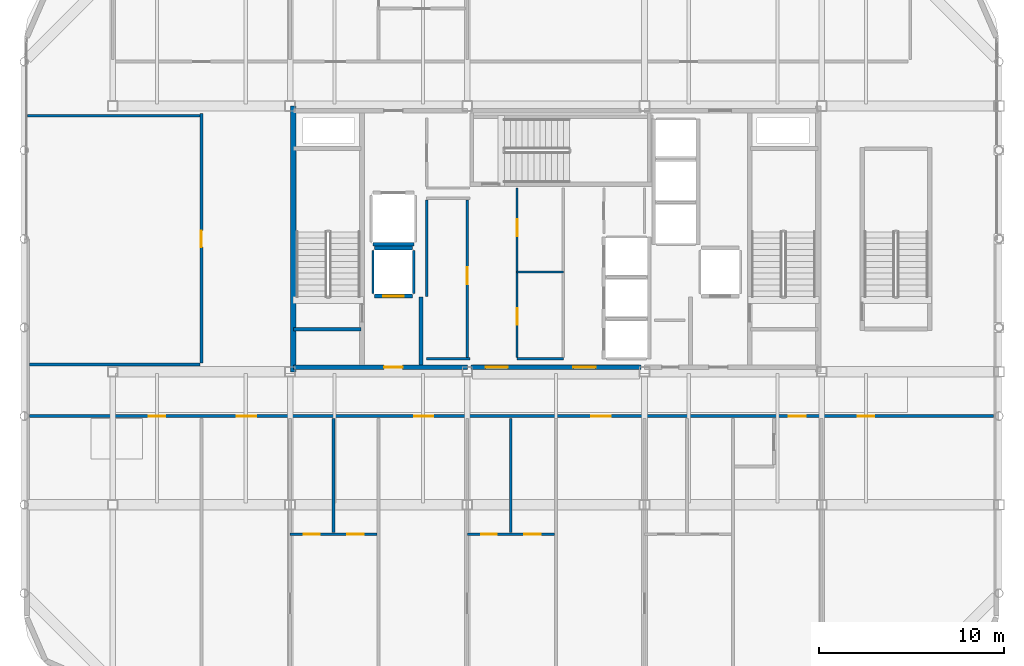
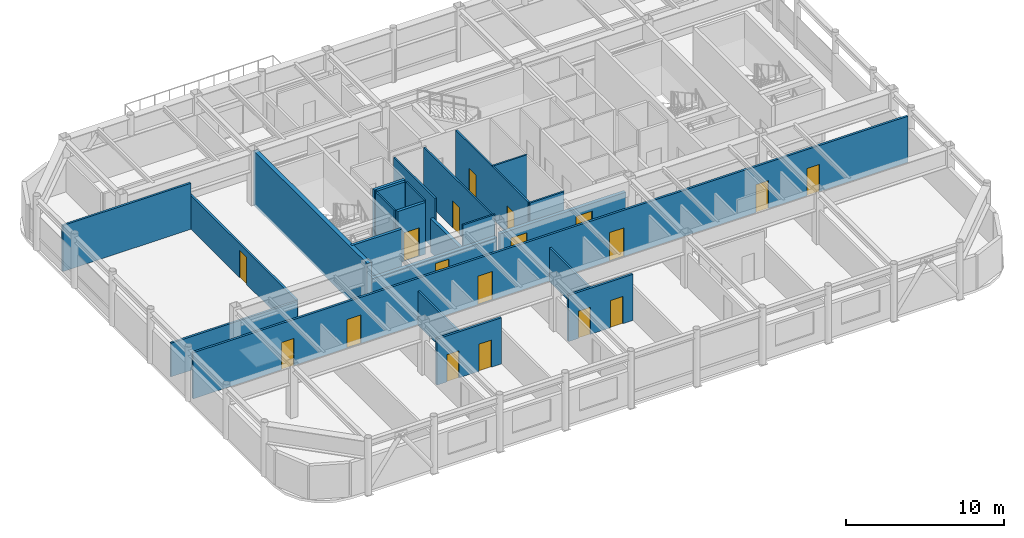
# One storey, part 17 of 23: 24 walls, 18 doors, 18 openings.
"""IFC4 building model written with IfcOpenShell, lengths in metres."""

from ifc_helpers import new_model, si_unit, direction, frame, frame_2d, origin, place, context, subcontext, project, spatial, rectangle, extrude, material, layer, layer_set, type_object, element, fill, save


model = new_model("IFC4")

# Units and contexts
model_context = context("Model", 3, precision=1e-05, world=origin(), true_north=direction((0.0, 1.0)))
body_context = subcontext(model_context, "Body", "Model", "MODEL_VIEW")
ifc_project = project(units=[si_unit("LENGTHUNIT", "METRE"), si_unit("AREAUNIT", "SQUARE_METRE"), si_unit("VOLUMEUNIT", "CUBIC_METRE"), si_unit("PLANEANGLEUNIT", "RADIAN"), si_unit("MASSUNIT", "GRAM", prefix="KILO")], contexts=[model_context])

# Site, building, storey
site_placement = place(None, origin())
site = spatial("IfcSite", under=ifc_project, at=site_placement, CompositionType="ELEMENT")
building_placement = place(site_placement, origin())
building = spatial("IfcBuilding", under=site, at=building_placement, Name="Kallvorn Hotel Tower", CompositionType="ELEMENT")
storey_placement = place(building_placement, frame((0.0, 0.0, 282.199951171875)))
storey = spatial("IfcBuildingStorey", under=building, at=storey_placement, Name="L70", CompositionType="ELEMENT", Elevation=282.199951171875)

# Wall
ifc_material_1 = material(Name="Concrete C50/60", Category="concrete")
ifc_layer_1 = layer(ifc_material_1, 0.300048828125)
ifc_layer_set_1 = layer_set([ifc_layer_1], Name="WL_CORE_300")
wall_type_1 = type_object("IfcWallType", Name="WL_CORE_300", PredefinedType="SHEAR", material=ifc_layer_set_1)
wall_1_placement = place(storey_placement, frame((-14.215087890625, -7.199951171875, -0.199951171875), z_axis=(0.0, 0.0, 1.0), x_axis=(0.0, 1.0, 0.0)))
element("IfcWall", 1, at=wall_1_placement, inside=storey, type_object=wall_type_1, Name="L70 Core West Shear Wall", PredefinedType="SHEAR", context=body_context, shape_type="SweptSolid", body=[
    extrude(rectangle(XDim=14.39990234375, YDim=0.300048828125, at=frame_2d((7.199951171875, 0.0))), origin(), (0.0, 0.0, 1.0), 4.199951171875),
])

# Wall, openings, doors
ifc_material_2 = material(Name="Fire-rated double-layer acoustic gypsum drywall EI 60")
ifc_layer_2 = layer(ifc_material_2, 0.159912109375)
ifc_layer_set_2 = layer_set([ifc_layer_2], Name="WL_DEMISE_160")
wall_type_2 = type_object("IfcWallType", Name="WL_DEMISE_160", PredefinedType="PARTITIONING", material=ifc_layer_set_2)
wall_2_placement = place(storey_placement, frame((-14.39990234375, -16.0, 0.0), z_axis=(0.0, 0.0, 1.0), x_axis=(1.0, 0.0, 0.0)))
wall_2 = element("IfcWall", 2, at=wall_2_placement, inside=storey, type_object=wall_type_2, Name="L70 Suite 7001 Presidential Bedroom Partition", PredefinedType="PARTITIONING", context=body_context, shape_type="SweptSolid", body=[
    extrude(rectangle(XDim=4.719970703125, YDim=0.159912109375, at=frame_2d((2.35986328125, 0.0))), origin(), (0.0, 0.0, 1.0), 3.56005859375),
])
opening_1_placement = place(wall_2_placement, frame((0.75, 0.0, 0.0)))
opening_1 = element("IfcOpeningElement", 3, at=opening_1_placement, cuts=wall_2, Name="Opening BD-I", PredefinedType="OPENING", context=body_context, shape_type="SweptSolid", body=[
    extrude(rectangle(XDim=0.860107421875, YDim=2.10009765625, at=frame_2d((0.43017578125, 1.050048828125))), frame((0.0, 0.094970703125, 0.0), z_axis=(0.0, -1.0, 0.0), x_axis=(1.0, 0.0, 0.0)), (0.0, 0.0, 1.0), 0.18994140625),
])
opening_2_placement = place(wall_2_placement, frame((3.090087890625, 0.0, 0.0)))
opening_2 = element("IfcOpeningElement", 4, at=opening_2_placement, cuts=wall_2, Name="Opening SVD1", PredefinedType="OPENING", context=body_context, shape_type="SweptSolid", body=[
    extrude(rectangle(XDim=0.89990234375, YDim=2.10009765625, at=frame_2d((0.449951171875, 1.050048828125))), frame((0.0, 0.094970703125, 0.0), z_axis=(0.0, -1.0, 0.0), x_axis=(1.0, 0.0, 0.0)), (0.0, 0.0, 1.0), 0.18994140625),
])
ifc_material_3 = material(Name="Solid-core walnut veneer fire-rated timber door leaf", Category="wood")
door_type_1 = type_object("IfcDoorType", Name="DR_BATH_860x2100", OperationType="NOTDEFINED", PredefinedType="DOOR", material=ifc_material_3)
door_1_placement = place(opening_1_placement, origin())
door_1 = element("IfcDoor", 5, at=door_1_placement, inside=storey, type_object=door_type_1, Name="L70 Suite 7001 En-Suite Bathroom Door", OperationType="SINGLE_SWING_RIGHT", OverallHeight=2.10009765625, OverallWidth=0.860107421875, PredefinedType="DOOR", context=body_context, shape_type="SweptSolid", body=[
    extrude(rectangle(XDim=0.860107421875, YDim=2.10009765625, at=frame_2d((0.43017578125, 1.050048828125))), frame((0.0, 0.02490234375, 0.0), z_axis=(0.0, -1.0, 0.0), x_axis=(1.0, 0.0, 0.0)), (0.0, 0.0, 1.0), 0.050048828125),
])
fill(opening_1, door_1)
ifc_material_4 = material(Name="Galvanised painted steel fire-rated door assembly", Category="steel")
door_type_2 = type_object("IfcDoorType", Name="DR_SERV_900x2100", OperationType="NOTDEFINED", PredefinedType="DOOR", material=ifc_material_4)
door_2_placement = place(opening_2_placement, origin())
door_2 = element("IfcDoor", 6, at=door_2_placement, inside=storey, type_object=door_type_2, Name="L70 Suite 7001 Walk-In Dressing Closet Door", OperationType="SINGLE_SWING_LEFT", OverallHeight=2.10009765625, OverallWidth=0.89990234375, PredefinedType="DOOR", context=body_context, shape_type="SweptSolid", body=[
    extrude(rectangle(XDim=0.89990234375, YDim=2.10009765625, at=frame_2d((0.449951171875, 1.050048828125))), frame((0.0, 0.02490234375, 0.0), z_axis=(0.0, -1.0, 0.0), x_axis=(1.0, 0.0, 0.0)), (0.0, 0.0, 1.0), 0.050048828125),
])
fill(opening_2, door_2)

wall_3_placement = place(storey_placement, frame((-4.800048828125, -16.0, 0.0), z_axis=(0.0, 0.0, 1.0), x_axis=(1.0, 0.0, 0.0)))
wall_3 = element("IfcWall", 7, at=wall_3_placement, inside=storey, type_object=wall_type_2, Name="L70 Suite 7002 Presidential Bedroom Partition", PredefinedType="PARTITIONING", context=body_context, shape_type="SweptSolid", body=[
    extrude(rectangle(XDim=4.719970703125, YDim=0.159912109375, at=frame_2d((2.35986328125, 0.0))), origin(), (0.0, 0.0, 1.0), 3.56005859375),
])
opening_3_placement = place(wall_3_placement, frame((0.75, 0.0, 0.0)))
opening_3 = element("IfcOpeningElement", 8, at=opening_3_placement, cuts=wall_3, Name="Opening BD-I", PredefinedType="OPENING", context=body_context, shape_type="SweptSolid", body=[
    extrude(rectangle(XDim=0.860107421875, YDim=2.10009765625, at=frame_2d((0.43017578125, 1.050048828125))), frame((0.0, 0.094970703125, 0.0), z_axis=(0.0, -1.0, 0.0), x_axis=(1.0, 0.0, 0.0)), (0.0, 0.0, 1.0), 0.18994140625),
])
opening_4_placement = place(wall_3_placement, frame((3.090087890625, 0.0, 0.0)))
opening_4 = element("IfcOpeningElement", 9, at=opening_4_placement, cuts=wall_3, Name="Opening SVD1", PredefinedType="OPENING", context=body_context, shape_type="SweptSolid", body=[
    extrude(rectangle(XDim=0.89990234375, YDim=2.10009765625, at=frame_2d((0.449951171875, 1.050048828125))), frame((0.0, 0.094970703125, 0.0), z_axis=(0.0, -1.0, 0.0), x_axis=(1.0, 0.0, 0.0)), (0.0, 0.0, 1.0), 0.18994140625),
])
door_3_placement = place(opening_3_placement, origin())
door_3 = element("IfcDoor", 10, at=door_3_placement, inside=storey, type_object=door_type_1, Name="L70 Suite 7002 En-Suite Bathroom Door", OperationType="SINGLE_SWING_RIGHT", OverallHeight=2.10009765625, OverallWidth=0.860107421875, PredefinedType="DOOR", context=body_context, shape_type="SweptSolid", body=[
    extrude(rectangle(XDim=0.860107421875, YDim=2.10009765625, at=frame_2d((0.43017578125, 1.050048828125))), frame((0.0, 0.02490234375, 0.0), z_axis=(0.0, -1.0, 0.0), x_axis=(1.0, 0.0, 0.0)), (0.0, 0.0, 1.0), 0.050048828125),
])
fill(opening_3, door_3)
door_4_placement = place(opening_4_placement, origin())
door_4 = element("IfcDoor", 11, at=door_4_placement, inside=storey, type_object=door_type_2, Name="L70 Suite 7002 Walk-In Dressing Closet Door", OperationType="SINGLE_SWING_RIGHT", OverallHeight=2.10009765625, OverallWidth=0.89990234375, PredefinedType="DOOR", context=body_context, shape_type="SweptSolid", body=[
    extrude(rectangle(XDim=0.89990234375, YDim=2.10009765625, at=frame_2d((0.449951171875, 1.050048828125))), frame((0.0, 0.02490234375, 0.0), z_axis=(0.0, -1.0, 0.0), x_axis=(1.0, 0.0, 0.0)), (0.0, 0.0, 1.0), 0.050048828125),
])
fill(opening_4, door_4)

wall_4_placement = place(storey_placement, frame((-28.510009765625, -9.60009765625, 0.0), z_axis=(0.0, 0.0, 1.0), x_axis=(1.0, 0.0, 0.0)))
wall_4 = element("IfcWall", 12, at=wall_4_placement, inside=storey, type_object=wall_type_2, Name="L70 Suite 7001 Presidential Living Salon Partition", PredefinedType="PARTITIONING", context=body_context, shape_type="SweptSolid", body=[
    extrude(rectangle(XDim=52.219970703125, YDim=0.159912109375, at=frame_2d((26.10986328125, 0.0))), origin(), (0.0, 0.0, 1.0), 3.56005859375),
])
opening_5_placement = place(wall_4_placement, frame((6.4599609375, 0.0, 0.0)))
opening_5 = element("IfcOpeningElement", 13, at=opening_5_placement, cuts=wall_4, Name="Opening SVD1", PredefinedType="OPENING", context=body_context, shape_type="SweptSolid", body=[
    extrude(rectangle(XDim=0.89990234375, YDim=2.10009765625, at=frame_2d((0.449951171875, 1.050048828125))), frame((0.0, 0.094970703125, 0.0), z_axis=(0.0, -1.0, 0.0), x_axis=(1.0, 0.0, 0.0)), (0.0, 0.0, 1.0), 0.18994140625),
])
opening_6_placement = place(wall_4_placement, frame((44.860107421875, 0.0, 0.0)))
opening_6 = element("IfcOpeningElement", 14, at=opening_6_placement, cuts=wall_4, Name="Opening SVD1", PredefinedType="OPENING", context=body_context, shape_type="SweptSolid", body=[
    extrude(rectangle(XDim=0.89990234375, YDim=2.10009765625, at=frame_2d((0.449951171875, 1.050048828125))), frame((0.0, 0.094970703125, 0.0), z_axis=(0.0, -1.0, 0.0), x_axis=(1.0, 0.0, 0.0)), (0.0, 0.0, 1.0), 0.18994140625),
])
opening_7_placement = place(wall_4_placement, frame((11.22509765625, 0.0, 0.0)))
opening_7 = element("IfcOpeningElement", 15, at=opening_7_placement, cuts=wall_4, Name="Opening GD2", PredefinedType="OPENING", context=body_context, shape_type="SweptSolid", body=[
    extrude(rectangle(XDim=1.050048828125, YDim=2.199951171875, at=frame_2d((0.52490234375, 1.10009765625))), frame((0.0, 0.094970703125, 0.0), z_axis=(0.0, -1.0, 0.0), x_axis=(1.0, 0.0, 0.0)), (0.0, 0.0, 1.0), 0.18994140625),
])
opening_8_placement = place(wall_4_placement, frame((20.824951171875, 0.0, 0.0)))
opening_8 = element("IfcOpeningElement", 16, at=opening_8_placement, cuts=wall_4, Name="Opening GD2", PredefinedType="OPENING", context=body_context, shape_type="SweptSolid", body=[
    extrude(rectangle(XDim=1.050048828125, YDim=2.199951171875, at=frame_2d((0.52490234375, 1.10009765625))), frame((0.0, 0.094970703125, 0.0), z_axis=(0.0, -1.0, 0.0), x_axis=(1.0, 0.0, 0.0)), (0.0, 0.0, 1.0), 0.18994140625),
])
opening_9_placement = place(wall_4_placement, frame((30.425048828125, 0.0, 0.0)))
opening_9 = element("IfcOpeningElement", 17, at=opening_9_placement, cuts=wall_4, Name="Opening GD2", PredefinedType="OPENING", context=body_context, shape_type="SweptSolid", body=[
    extrude(rectangle(XDim=1.050048828125, YDim=2.199951171875, at=frame_2d((0.52490234375, 1.10009765625))), frame((0.0, 0.094970703125, 0.0), z_axis=(0.0, -1.0, 0.0), x_axis=(1.0, 0.0, 0.0)), (0.0, 0.0, 1.0), 0.18994140625),
])
opening_10_placement = place(wall_4_placement, frame((41.114990234375, 0.0, 0.0)))
opening_10 = element("IfcOpeningElement", 18, at=opening_10_placement, cuts=wall_4, Name="Opening GD1", PredefinedType="OPENING", context=body_context, shape_type="SweptSolid", body=[
    extrude(rectangle(XDim=0.919921875, YDim=2.14990234375, at=frame_2d((0.4599609375, 1.074951171875))), frame((0.0, 0.094970703125, 0.0), z_axis=(0.0, -1.0, 0.0), x_axis=(1.0, 0.0, 0.0)), (0.0, 0.0, 1.0), 0.18994140625),
])
ifc_material_5 = material(Name="Solid-core walnut veneer fire-rated timber door leaf", Category="wood")
door_type_3 = type_object("IfcDoorType", Name="DR_GUEST_920x2150", OperationType="NOTDEFINED", PredefinedType="DOOR", material=ifc_material_5)
door_5_placement = place(opening_10_placement, origin())
door_5 = element("IfcDoor", 19, at=door_5_placement, inside=storey, type_object=door_type_3, Name="L70 Suite 7004 Royal King Room Door", OperationType="SINGLE_SWING_LEFT", OverallHeight=2.14990234375, OverallWidth=0.919921875, PredefinedType="DOOR", context=body_context, shape_type="SweptSolid", body=[
    extrude(rectangle(XDim=0.919921875, YDim=2.14990234375, at=frame_2d((0.4599609375, 1.074951171875))), frame((0.0, 0.02490234375, 0.0), z_axis=(0.0, -1.0, 0.0), x_axis=(1.0, 0.0, 0.0)), (0.0, 0.0, 1.0), 0.050048828125),
])
fill(opening_10, door_5)
door_6_placement = place(opening_5_placement, origin())
door_6 = element("IfcDoor", 20, at=door_6_placement, inside=storey, type_object=door_type_2, Name="L70 L70 South-West Cordillera Tasting Bar Door", OperationType="SINGLE_SWING_LEFT", OverallHeight=2.10009765625, OverallWidth=0.89990234375, PredefinedType="DOOR", context=body_context, shape_type="SweptSolid", body=[
    extrude(rectangle(XDim=0.89990234375, YDim=2.10009765625, at=frame_2d((0.449951171875, 1.050048828125))), frame((0.0, 0.02490234375, 0.0), z_axis=(0.0, -1.0, 0.0), x_axis=(1.0, 0.0, 0.0)), (0.0, 0.0, 1.0), 0.050048828125),
])
fill(opening_5, door_6)
door_7_placement = place(opening_6_placement, origin())
door_7 = element("IfcDoor", 21, at=door_7_placement, inside=storey, type_object=door_type_2, Name="L70 L70 South-East Summit Cigar Bar Door", OperationType="SINGLE_SWING_LEFT", OverallHeight=2.10009765625, OverallWidth=0.89990234375, PredefinedType="DOOR", context=body_context, shape_type="SweptSolid", body=[
    extrude(rectangle(XDim=0.89990234375, YDim=2.10009765625, at=frame_2d((0.449951171875, 1.050048828125))), frame((0.0, 0.02490234375, 0.0), z_axis=(0.0, -1.0, 0.0), x_axis=(1.0, 0.0, 0.0)), (0.0, 0.0, 1.0), 0.050048828125),
])
fill(opening_6, door_7)
ifc_material_6 = material(Name="Solid-core walnut veneer fire-rated timber door leaf", Category="wood")
door_type_4 = type_object("IfcDoorType", Name="DR_SUITE_1050x2200", OperationType="NOTDEFINED", PredefinedType="DOOR", material=ifc_material_6)
door_8_placement = place(opening_7_placement, origin())
door_8 = element("IfcDoor", 22, at=door_8_placement, inside=storey, type_object=door_type_4, Name="L70 Suite 7001 Presidential Living Salon Door", OperationType="SINGLE_SWING_LEFT", OverallHeight=2.199951171875, OverallWidth=1.050048828125, PredefinedType="DOOR", context=body_context, shape_type="SweptSolid", body=[
    extrude(rectangle(XDim=1.050048828125, YDim=2.199951171875, at=frame_2d((0.52490234375, 1.10009765625))), frame((0.0, 0.02490234375, 0.0), z_axis=(0.0, -1.0, 0.0), x_axis=(1.0, 0.0, 0.0)), (0.0, 0.0, 1.0), 0.050048828125),
])
fill(opening_7, door_8)
door_9_placement = place(opening_8_placement, origin())
door_9 = element("IfcDoor", 23, at=door_9_placement, inside=storey, type_object=door_type_4, Name="L70 Suite 7002 Presidential Living Salon Door", OperationType="SINGLE_SWING_RIGHT", OverallHeight=2.199951171875, OverallWidth=1.050048828125, PredefinedType="DOOR", context=body_context, shape_type="SweptSolid", body=[
    extrude(rectangle(XDim=1.050048828125, YDim=2.199951171875, at=frame_2d((0.52490234375, 1.10009765625))), frame((0.0, 0.02490234375, 0.0), z_axis=(0.0, -1.0, 0.0), x_axis=(1.0, 0.0, 0.0)), (0.0, 0.0, 1.0), 0.050048828125),
])
fill(opening_8, door_9)
door_10_placement = place(opening_9_placement, origin())
door_10 = element("IfcDoor", 24, at=door_10_placement, inside=storey, type_object=door_type_4, Name="L70 Suite 7003 Presidential Living Salon Door", OperationType="SINGLE_SWING_RIGHT", OverallHeight=2.199951171875, OverallWidth=1.050048828125, PredefinedType="DOOR", context=body_context, shape_type="SweptSolid", body=[
    extrude(rectangle(XDim=1.050048828125, YDim=2.199951171875, at=frame_2d((0.52490234375, 1.10009765625))), frame((0.0, 0.02490234375, 0.0), z_axis=(0.0, -1.0, 0.0), x_axis=(1.0, 0.0, 0.0)), (0.0, 0.0, 1.0), 0.050048828125),
])
fill(opening_9, door_10)

# Walls
ifc_material_7 = material(Name="Concrete C40/50", Category="concrete")
ifc_layer_3 = layer(ifc_material_7, 0.219970703125)
ifc_layer_set_3 = layer_set([ifc_layer_3], Name="WL_FFL_220")
wall_type_3 = type_object("IfcWallType", Name="WL_FFL_220", PredefinedType="SOLIDWALL", material=ifc_layer_set_3)
wall_5_placement = place(storey_placement, frame((-7.300048828125, -6.820068359375, 0.0), z_axis=(0.0, 0.0, 1.0), x_axis=(0.0, 1.0, 0.0)))
element("IfcWall", 25, at=wall_5_placement, inside=storey, type_object=wall_type_3, Name="L70 Firefighting Lobby West Divider Wall", PredefinedType="SOLIDWALL", context=body_context, shape_type="SweptSolid", body=[
    extrude(rectangle(XDim=3.670166015625, YDim=0.219970703125, at=frame_2d((1.8349609375, 0.0))), origin(), (0.0, 0.0, 1.0), 2.60009765625),
])
ifc_material_8 = material(Name="Concrete C40/50", Category="concrete")
ifc_layer_4 = layer(ifc_material_8, 0.199951171875)
ifc_layer_set_4 = layer_set([ifc_layer_4], Name="WL_HOIST_200")
wall_type_4 = type_object("IfcWallType", Name="WL_HOIST_200", PredefinedType="SOLIDWALL", material=ifc_layer_set_4)
wall_6_placement = place(storey_placement, frame((-14.199951171875, -4.89990234375, -0.199951171875), z_axis=(0.0, 0.0, 1.0), x_axis=(1.0, 0.0, 0.0)))
element("IfcWall", 26, at=wall_6_placement, inside=storey, type_object=wall_type_4, Name="L70 Stair ST1 South Wall", PredefinedType="SOLIDWALL", context=body_context, shape_type="SweptSolid", body=[
    extrude(rectangle(XDim=3.64990234375, YDim=0.199951171875, at=frame_2d((1.824951171875, 0.0))), origin(), (0.0, 0.0, 1.0), 4.199951171875),
])

# Wall, opening, door
wall_7_placement = place(storey_placement, frame((-9.820068359375, -3.10009765625, 0.0), z_axis=(0.0, 0.0, 1.0), x_axis=(1.0, 0.0, 0.0)))
wall_7 = element("IfcWall", 27, at=wall_7_placement, inside=storey, type_object=wall_type_4, Name="L70 FL-1 Landing Wall", PredefinedType="SOLIDWALL", context=body_context, shape_type="SweptSolid", body=[
    extrude(rectangle(XDim=2.0400390625, YDim=0.199951171875, at=frame_2d((1.02001953125, 0.0))), origin(), (0.0, 0.0, 1.0), 4.0),
])
opening_11_placement = place(wall_7_placement, frame((0.469970703125, 0.0, 0.0)))
opening_11 = element("IfcOpeningElement", 28, at=opening_11_placement, cuts=wall_7, Name="Opening LD-FL-1", PredefinedType="OPENING", context=body_context, shape_type="SweptSolid", body=[
    extrude(rectangle(XDim=1.10009765625, YDim=2.199951171875, at=frame_2d((0.550048828125, 1.10009765625))), frame((0.0, 0.114990234375, 0.0), z_axis=(0.0, -1.0, 0.0), x_axis=(1.0, 0.0, 0.0)), (0.0, 0.0, 1.0), 0.22998046875),
])
ifc_material_9 = material(Name="Brushed stainless-steel automatic sliding lift landing door", Category="steel")
door_type_5 = type_object("IfcDoorType", Name="LD_PASS_1100x2200", OperationType="SLIDING_TO_LEFT", PredefinedType="DOOR", material=ifc_material_9)
door_11_placement = place(opening_11_placement, origin())
door_11 = element("IfcDoor", 29, at=door_11_placement, inside=storey, type_object=door_type_5, Name="L70 Lift Landing Sliding Door LD-FL-1", OperationType="SLIDING_TO_LEFT", OverallHeight=2.199951171875, OverallWidth=1.10009765625, PredefinedType="DOOR", context=body_context, shape_type="SweptSolid", body=[
    extrude(rectangle(XDim=1.10009765625, YDim=2.199951171875, at=frame_2d((0.550048828125, 1.10009765625))), frame((0.0, 0.02490234375, 0.0), z_axis=(0.0, -1.0, 0.0), x_axis=(1.0, 0.0, 0.0)), (0.0, 0.0, 1.0), 0.050048828125),
])
fill(opening_11, door_11)

# Walls
wall_8_placement = place(storey_placement, frame((-9.820068359375, -0.5, 0.0), z_axis=(0.0, 0.0, 1.0), x_axis=(1.0, 0.0, 0.0)))
element("IfcWall", 30, at=wall_8_placement, inside=storey, type_object=wall_type_4, Name="L70 FL-1 Rear Shaft Wall", PredefinedType="SOLIDWALL", context=body_context, shape_type="SweptSolid", body=[
    extrude(rectangle(XDim=2.0400390625, YDim=0.199951171875, at=frame_2d((1.02001953125, 0.0))), origin(), (0.0, 0.0, 1.0), 4.0),
])
wall_9_placement = place(storey_placement, frame((-9.919921875, -0.300048828125, 0.0), z_axis=(0.0, 0.0, 1.0), x_axis=(1.0, 0.0, 0.0)))
element("IfcWall", 31, at=wall_9_placement, inside=storey, type_object=wall_type_4, Name="L70 SV-01 Rear Shaft Wall", PredefinedType="SOLIDWALL", context=body_context, shape_type="SweptSolid", body=[
    extrude(rectangle(XDim=2.239990234375, YDim=0.199951171875, at=frame_2d((1.1201171875, 0.0))), origin(), (0.0, 0.0, 1.0), 4.0),
])
ifc_material_10 = material(Name="Fire-rated double-layer acoustic gypsum drywall EI 60")
ifc_layer_5 = layer(ifc_material_10, 0.1201171875)
ifc_layer_set_5 = layer_set([ifc_layer_5], Name="WL_INT_120")
wall_type_5 = type_object("IfcWallType", Name="WL_INT_120", PredefinedType="PARTITIONING", material=ifc_layer_set_5)
for number, where, z_axis, x_axis, name in (
    (32, (-9.89990234375, -2.9599609375, 0.0), (0.0, 0.0, 1.0), (0.0, 1.0, 0.0), "L70 FL-1 West Shaft Wall"),
    (33, (-7.699951171875, -2.9599609375, 0.0), (0.0, 0.0, 1.0), (0.0, 1.0, 0.0), "L70 FL-1 East Shaft Wall"),
):
    element("IfcWall", number, at=place(storey_placement, frame(where, z_axis=z_axis, x_axis=x_axis)), inside=storey, type_object=wall_type_5, Name=name, PredefinedType="PARTITIONING", context=body_context, shape_type="SweptSolid", body=[
        extrude(rectangle(XDim=2.320068359375, YDim=0.1201171875, at=frame_2d((1.16015625, 0.0))), origin(), (0.0, 0.0, 1.0), 4.0),
    ])
wall_10_placement = place(storey_placement, frame((-7.0, -6.5, 0.0), z_axis=(0.0, 0.0, 1.0), x_axis=(1.0, 0.0, 0.0)))
element("IfcWall", 34, at=wall_10_placement, inside=storey, type_object=wall_type_5, Name="L70 Recaptured Butler and Room-Service Pantry Partition", PredefinedType="PARTITIONING", context=body_context, shape_type="SweptSolid", body=[
    extrude(rectangle(XDim=2.35009765625, YDim=0.1201171875, at=frame_2d((1.175048828125, 0.0))), origin(), (0.0, 0.0, 1.0), 4.0),
])
for number, where, z_axis, x_axis, name in (
    (35, (-2.10009765625, -6.5, 0.0), (0.0, 0.0, 1.0), (1.0, 0.0, 0.0), "L70 High-Zone Sommelier and Beverage Pantry Partition"),
    (36, (-2.10009765625, -1.800048828125, 0.0), (0.0, 0.0, 1.0), (1.0, 0.0, 0.0), "L70 High-Zone Housekeeping Reserve Store Partition"),
):
    element("IfcWall", number, at=place(storey_placement, frame(where, z_axis=z_axis, x_axis=x_axis)), inside=storey, type_object=wall_type_5, Name=name, PredefinedType="PARTITIONING", context=body_context, shape_type="SweptSolid", body=[
        extrude(rectangle(XDim=2.5, YDim=0.1201171875, at=frame_2d((1.25, 0.0))), origin(), (0.0, 0.0, 1.0), 4.0),
    ])
wall_11_placement = place(storey_placement, frame((-7.0, -3.110107421875, 0.0), z_axis=(0.0, 0.0, 1.0), x_axis=(0.0, 1.0, 0.0)))
element("IfcWall", 37, at=wall_11_placement, inside=storey, type_object=wall_type_5, Name="L70 Recaptured Butler and Room-Service Pantry Partition", PredefinedType="PARTITIONING", context=body_context, shape_type="SweptSolid", body=[
    extrude(rectangle(XDim=5.22509765625, YDim=0.1201171875, at=frame_2d((2.612548828125, 0.0))), origin(), (0.0, 0.0, 1.0), 4.0),
])

# Wall, opening, door
wall_12_placement = place(storey_placement, frame((-4.800048828125, -6.4150390625, 0.0), z_axis=(0.0, 0.0, 1.0), x_axis=(0.0, 1.0, 0.0)))
wall_12 = element("IfcWall", 38, at=wall_12_placement, inside=storey, type_object=wall_type_5, Name="L70 Recaptured Butler and Room-Service Pantry Partition", PredefinedType="PARTITIONING", context=body_context, shape_type="SweptSolid", body=[
    extrude(rectangle(XDim=8.530029296875, YDim=0.1201171875, at=frame_2d((4.26513671875, 0.0))), origin(), (0.0, 0.0, 1.0), 4.0),
])
opening_12_placement = place(wall_12_placement, frame((3.965087890625, 0.0, 0.0)))
opening_12 = element("IfcOpeningElement", 39, at=opening_12_placement, cuts=wall_12, Name="Opening SVD1", PredefinedType="OPENING", context=body_context, shape_type="SweptSolid", body=[
    extrude(rectangle(XDim=0.89990234375, YDim=2.10009765625, at=frame_2d((0.449951171875, 1.050048828125))), frame((0.0, 0.074951171875, 0.0), z_axis=(0.0, -1.0, 0.0), x_axis=(1.0, 0.0, 0.0)), (0.0, 0.0, 1.0), 0.150146484375),
])
door_12_placement = place(opening_12_placement, origin())
door_12 = element("IfcDoor", 40, at=door_12_placement, inside=storey, type_object=door_type_2, Name="L70 Recaptured Butler and Room-Service Pantry Door", OperationType="SINGLE_SWING_LEFT", OverallHeight=2.10009765625, OverallWidth=0.89990234375, PredefinedType="DOOR", context=body_context, shape_type="SweptSolid", body=[
    extrude(rectangle(XDim=0.89990234375, YDim=2.10009765625, at=frame_2d((0.449951171875, 1.050048828125))), frame((0.0, 0.02490234375, 0.0), z_axis=(0.0, -1.0, 0.0), x_axis=(1.0, 0.0, 0.0)), (0.0, 0.0, 1.0), 0.050048828125),
])
fill(opening_12, door_12)

# Wall, openings, doors
wall_13_placement = place(storey_placement, frame((-2.10009765625, -6.4150390625, 0.0), z_axis=(0.0, 0.0, 1.0), x_axis=(0.0, 1.0, 0.0)))
wall_13 = element("IfcWall", 41, at=wall_13_placement, inside=storey, type_object=wall_type_5, Name="L70 High-Zone Sommelier and Beverage Pantry Partition", PredefinedType="PARTITIONING", context=body_context, shape_type="SweptSolid", body=[
    extrude(rectangle(XDim=9.1650390625, YDim=0.1201171875, at=frame_2d((4.58251953125, 0.0))), origin(), (0.0, 0.0, 1.0), 4.0),
])
opening_13_placement = place(wall_13_placement, frame((1.764892578125, 0.0, 0.0)))
opening_13 = element("IfcOpeningElement", 42, at=opening_13_placement, cuts=wall_13, Name="Opening SVD1", PredefinedType="OPENING", context=body_context, shape_type="SweptSolid", body=[
    extrude(rectangle(XDim=0.89990234375, YDim=2.10009765625, at=frame_2d((0.449951171875, 1.050048828125))), frame((0.0, 0.074951171875, 0.0), z_axis=(0.0, -1.0, 0.0), x_axis=(1.0, 0.0, 0.0)), (0.0, 0.0, 1.0), 0.150146484375),
])
opening_14_placement = place(wall_13_placement, frame((6.56494140625, 0.0, 0.0)))
opening_14 = element("IfcOpeningElement", 43, at=opening_14_placement, cuts=wall_13, Name="Opening SVD1", PredefinedType="OPENING", context=body_context, shape_type="SweptSolid", body=[
    extrude(rectangle(XDim=0.89990234375, YDim=2.10009765625, at=frame_2d((0.449951171875, 1.050048828125))), frame((0.0, 0.074951171875, 0.0), z_axis=(0.0, -1.0, 0.0), x_axis=(1.0, 0.0, 0.0)), (0.0, 0.0, 1.0), 0.150146484375),
])
door_13_placement = place(opening_13_placement, origin())
door_13 = element("IfcDoor", 44, at=door_13_placement, inside=storey, type_object=door_type_2, Name="L70 High-Zone Sommelier and Beverage Pantry Door", OperationType="SINGLE_SWING_LEFT", OverallHeight=2.10009765625, OverallWidth=0.89990234375, PredefinedType="DOOR", context=body_context, shape_type="SweptSolid", body=[
    extrude(rectangle(XDim=0.89990234375, YDim=2.10009765625, at=frame_2d((0.449951171875, 1.050048828125))), frame((0.0, 0.02490234375, 0.0), z_axis=(0.0, -1.0, 0.0), x_axis=(1.0, 0.0, 0.0)), (0.0, 0.0, 1.0), 0.050048828125),
])
fill(opening_13, door_13)
door_14_placement = place(opening_14_placement, origin())
door_14 = element("IfcDoor", 45, at=door_14_placement, inside=storey, type_object=door_type_2, Name="L70 High-Zone Housekeeping Reserve Store Door", OperationType="SINGLE_SWING_RIGHT", OverallHeight=2.10009765625, OverallWidth=0.89990234375, PredefinedType="DOOR", context=body_context, shape_type="SweptSolid", body=[
    extrude(rectangle(XDim=0.89990234375, YDim=2.10009765625, at=frame_2d((0.449951171875, 1.050048828125))), frame((0.0, 0.02490234375, 0.0), z_axis=(0.0, -1.0, 0.0), x_axis=(1.0, 0.0, 0.0)), (0.0, 0.0, 1.0), 0.050048828125),
])
fill(opening_14, door_14)

# Walls
ifc_material_11 = material(Name="Fire-rated double-layer acoustic gypsum drywall EI 60")
ifc_layer_6 = layer(ifc_material_11, 0.14990234375)
ifc_layer_set_6 = layer_set([ifc_layer_6], Name="WL_PART_150")
wall_type_6 = type_object("IfcWallType", Name="WL_PART_150", PredefinedType="PARTITIONING", material=ifc_layer_set_6)
wall_14_placement = place(storey_placement, frame((-28.510009765625, -6.800048828125, 0.0), z_axis=(0.0, 0.0, 1.0), x_axis=(1.0, 0.0, 0.0)))
element("IfcWall", 46, at=wall_14_placement, inside=storey, type_object=wall_type_6, Name="L70 West Diplomatic Reception Gallery Partition", PredefinedType="PARTITIONING", context=body_context, shape_type="SweptSolid", body=[
    extrude(rectangle(XDim=9.22998046875, YDim=0.14990234375, at=frame_2d((4.614990234375, 0.0))), origin(), (0.0, 0.0, 1.0), 2.60009765625),
])
wall_15_placement = place(storey_placement, frame((-28.6298828125, 6.675048828125, 0.0), z_axis=(0.0, 0.0, 1.0), x_axis=(1.0, 0.0, 0.0)))
element("IfcWall", 47, at=wall_15_placement, inside=storey, type_object=wall_type_6, Name="L70 West Diplomatic Reception Gallery Partition", PredefinedType="PARTITIONING", context=body_context, shape_type="SweptSolid", body=[
    extrude(rectangle(XDim=9.349853515625, YDim=0.14990234375, at=frame_2d((4.6748046875, 0.0))), origin(), (0.0, 0.0, 1.0), 3.56005859375),
])

# Wall, opening, door
wall_16_placement = place(storey_placement, frame((-19.199951171875, -6.715087890625, 0.0), z_axis=(0.0, 0.0, 1.0), x_axis=(0.0, 1.0, 0.0)))
wall_16 = element("IfcWall", 48, at=wall_16_placement, inside=storey, type_object=wall_type_6, Name="L70 West Diplomatic Reception Gallery Partition", PredefinedType="PARTITIONING", context=body_context, shape_type="SweptSolid", body=[
    extrude(rectangle(XDim=13.51513671875, YDim=0.14990234375, at=frame_2d((6.757568359375, 0.0))), origin(), (0.0, 0.0, 1.0), 2.60009765625),
])
opening_15_placement = place(wall_16_placement, frame((6.264892578125, 0.0, 0.0)))
opening_15 = element("IfcOpeningElement", 49, at=opening_15_placement, cuts=wall_16, Name="Opening SVD1", PredefinedType="OPENING", context=body_context, shape_type="SweptSolid", body=[
    extrude(rectangle(XDim=0.89990234375, YDim=2.10009765625, at=frame_2d((0.449951171875, 1.050048828125))), frame((0.0, 0.08984375, 0.0), z_axis=(0.0, -1.0, 0.0), x_axis=(1.0, 0.0, 0.0)), (0.0, 0.0, 1.0), 0.179931640625),
])
door_15_placement = place(opening_15_placement, origin())
door_15 = element("IfcDoor", 50, at=door_15_placement, inside=storey, type_object=door_type_2, Name="L70 West Diplomatic Reception Gallery Door", OperationType="SINGLE_SWING_LEFT", OverallHeight=2.10009765625, OverallWidth=0.89990234375, PredefinedType="DOOR", context=body_context, shape_type="SweptSolid", body=[
    extrude(rectangle(XDim=0.89990234375, YDim=2.10009765625, at=frame_2d((0.449951171875, 1.050048828125))), frame((0.0, 0.02490234375, 0.0), z_axis=(0.0, -1.0, 0.0), x_axis=(1.0, 0.0, 0.0)), (0.0, 0.0, 1.0), 0.050048828125),
])
fill(opening_15, door_15)

# Walls
for number, where, z_axis, x_axis, name in (
    (51, (-12.0400390625, -15.9150390625, 0.0), (0.0, 0.0, 1.0), (0.0, 1.0, 0.0), "L70 Suite 7001 Walk-In Dressing Closet Partition"),
    (52, (-2.43994140625, -15.9150390625, 0.0), (0.0, 0.0, 1.0), (0.0, 1.0, 0.0), "L70 Suite 7002 Walk-In Dressing Closet Partition"),
):
    element("IfcWall", number, at=place(storey_placement, frame(where, z_axis=z_axis, x_axis=x_axis)), inside=storey, type_object=wall_type_6, Name=name, PredefinedType="PARTITIONING", context=body_context, shape_type="SweptSolid", body=[
        extrude(rectangle(XDim=6.195068359375, YDim=0.14990234375, at=frame_2d((3.09765625, 0.0))), origin(), (0.0, 0.0, 1.0), 2.60009765625),
    ])

# Wall, opening, door
ifc_material_12 = material(Name="Concrete C40/50", Category="concrete")
ifc_layer_7 = layer(ifc_material_12, 0.25)
ifc_layer_set_7 = layer_set([ifc_layer_7], Name="WL_SHAFT_250")
wall_type_7 = type_object("IfcWallType", Name="WL_SHAFT_250", PredefinedType="SOLIDWALL", material=ifc_layer_set_7)
wall_17_placement = place(storey_placement, frame((-14.199951171875, -6.949951171875, 0.0), z_axis=(0.0, 0.0, 1.0), x_axis=(1.0, 0.0, 0.0)))
wall_17 = element("IfcWall", 53, at=wall_17_placement, inside=storey, type_object=wall_type_7, Name="L70 Core South-West Wall", PredefinedType="SOLIDWALL", context=body_context, shape_type="SweptSolid", body=[
    extrude(rectangle(XDim=9.39990234375, YDim=0.25, at=frame_2d((4.699951171875, 0.0))), origin(), (0.0, 0.0, 1.0), 2.60009765625),
])
opening_16_placement = place(wall_17_placement, frame((4.89990234375, 0.0, 0.0)))
opening_16 = element("IfcOpeningElement", 54, at=opening_16_placement, cuts=wall_17, Name="Opening FD1", PredefinedType="OPENING", context=body_context, shape_type="SweptSolid", body=[
    extrude(rectangle(XDim=1.0, YDim=2.14990234375, at=frame_2d((0.5, 1.074951171875))), frame((0.0, 0.139892578125, 0.0), z_axis=(0.0, -1.0, 0.0), x_axis=(1.0, 0.0, 0.0)), (0.0, 0.0, 1.0), 0.280029296875),
])
ifc_material_13 = material(Name="Galvanised painted steel fire-rated door assembly", Category="steel")
door_type_6 = type_object("IfcDoorType", Name="DR_FFL_1000x2150", OperationType="NOTDEFINED", PredefinedType="DOOR", material=ifc_material_13)
door_16_placement = place(opening_16_placement, origin())
door_16 = element("IfcDoor", 55, at=door_16_placement, inside=storey, type_object=door_type_6, Name="L70 Firefighting Lobby West Door", OperationType="SINGLE_SWING_RIGHT", OverallHeight=2.14990234375, OverallWidth=1.0, PredefinedType="DOOR", context=body_context, shape_type="SweptSolid", body=[
    extrude(rectangle(XDim=1.0, YDim=2.14990234375, at=frame_2d((0.5, 1.074951171875))), frame((0.0, 0.02490234375, 0.0), z_axis=(0.0, -1.0, 0.0), x_axis=(1.0, 0.0, 0.0)), (0.0, 0.0, 1.0), 0.050048828125),
])
fill(opening_16, door_16)

# Wall, openings, doors
wall_18_placement = place(storey_placement, frame((-4.60009765625, -6.949951171875, 0.0), z_axis=(0.0, 0.0, 1.0), x_axis=(1.0, 0.0, 0.0)))
wall_18 = element("IfcWall", 56, at=wall_18_placement, inside=storey, type_object=wall_type_7, Name="L70 Core South-Central Wall", PredefinedType="SOLIDWALL", context=body_context, shape_type="SweptSolid", body=[
    extrude(rectangle(XDim=9.2001953125, YDim=0.25, at=frame_2d((4.60009765625, 0.0))), origin(), (0.0, 0.0, 1.0), 2.800048828125),
])
opening_17_placement = place(wall_18_placement, frame((0.800048828125, 0.0, 0.0)))
opening_17 = element("IfcOpeningElement", 57, at=opening_17_placement, cuts=wall_18, Name="Opening FD2", PredefinedType="OPENING", context=body_context, shape_type="SweptSolid", body=[
    extrude(rectangle(XDim=1.199951171875, YDim=2.199951171875, at=frame_2d((0.60009765625, 1.10009765625))), frame((0.0, 0.139892578125, 0.0), z_axis=(0.0, -1.0, 0.0), x_axis=(1.0, 0.0, 0.0)), (0.0, 0.0, 1.0), 0.280029296875),
])
opening_18_placement = place(wall_18_placement, frame((5.550048828125, 0.0, 0.0)))
opening_18 = element("IfcOpeningElement", 58, at=opening_18_placement, cuts=wall_18, Name="Opening FD2", PredefinedType="OPENING", context=body_context, shape_type="SweptSolid", body=[
    extrude(rectangle(XDim=1.199951171875, YDim=2.199951171875, at=frame_2d((0.60009765625, 1.10009765625))), frame((0.0, 0.139892578125, 0.0), z_axis=(0.0, -1.0, 0.0), x_axis=(1.0, 0.0, 0.0)), (0.0, 0.0, 1.0), 0.280029296875),
])
ifc_material_14 = material(Name="Galvanised painted steel fire-rated door assembly", Category="steel")
door_type_7 = type_object("IfcDoorType", Name="DR_LOBBY_1200x2200", OperationType="DOUBLE_DOOR_SINGLE_SWING", PredefinedType="DOOR", material=ifc_material_14)
door_17_placement = place(opening_17_placement, origin())
door_17 = element("IfcDoor", 59, at=door_17_placement, inside=storey, type_object=door_type_7, Name="L70 West Passenger Lift Lobby Door", OperationType="DOUBLE_DOOR_SINGLE_SWING", OverallHeight=2.199951171875, OverallWidth=1.199951171875, PredefinedType="DOOR", context=body_context, shape_type="SweptSolid", body=[
    extrude(rectangle(XDim=1.199951171875, YDim=2.199951171875, at=frame_2d((0.60009765625, 1.10009765625))), frame((0.0, 0.02490234375, 0.0), z_axis=(0.0, -1.0, 0.0), x_axis=(1.0, 0.0, 0.0)), (0.0, 0.0, 1.0), 0.050048828125),
])
fill(opening_17, door_17)
door_18_placement = place(opening_18_placement, origin())
door_18 = element("IfcDoor", 60, at=door_18_placement, inside=storey, type_object=door_type_7, Name="L70 East Passenger Lift Lobby Door", OperationType="DOUBLE_DOOR_SINGLE_SWING", OverallHeight=2.199951171875, OverallWidth=1.199951171875, PredefinedType="DOOR", context=body_context, shape_type="SweptSolid", body=[
    extrude(rectangle(XDim=1.199951171875, YDim=2.199951171875, at=frame_2d((0.60009765625, 1.10009765625))), frame((0.0, 0.02490234375, 0.0), z_axis=(0.0, -1.0, 0.0), x_axis=(1.0, 0.0, 0.0)), (0.0, 0.0, 1.0), 0.050048828125),
])
fill(opening_18, door_18)

save(model, "model.ifc")
